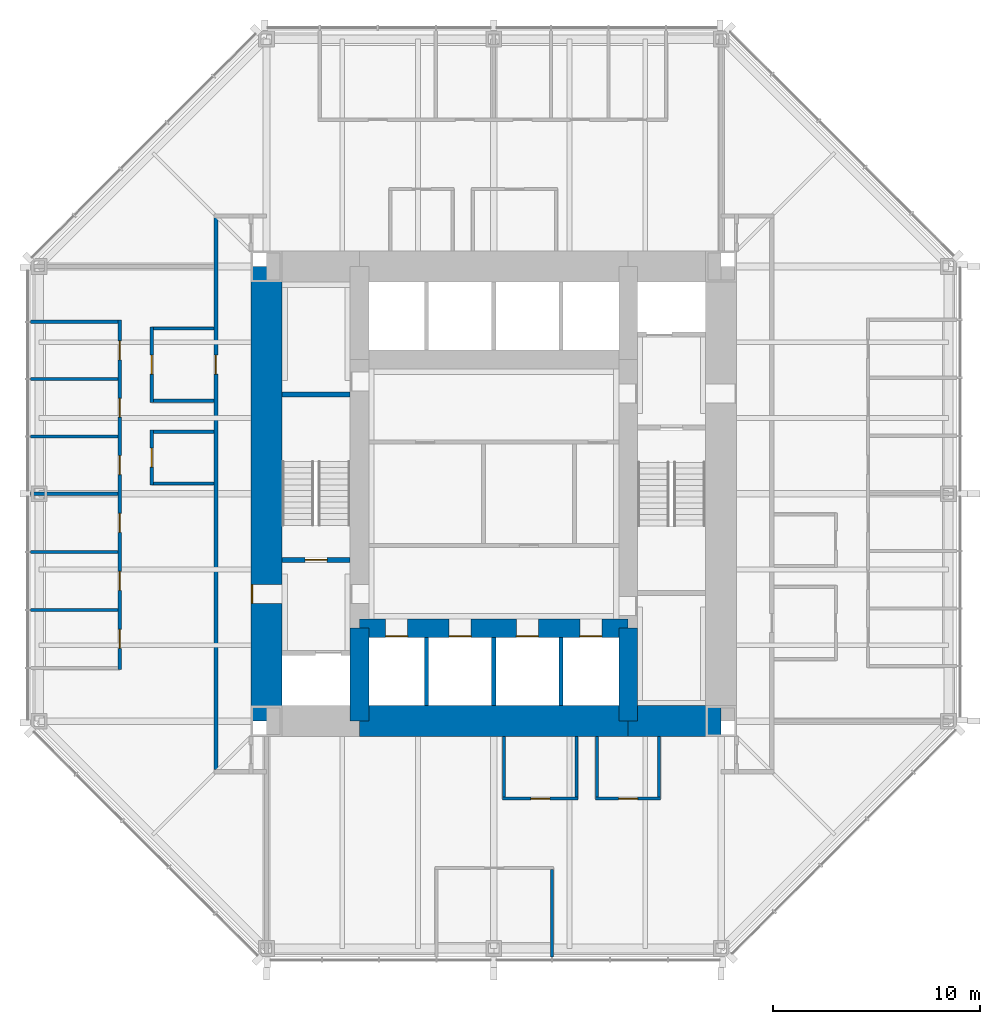
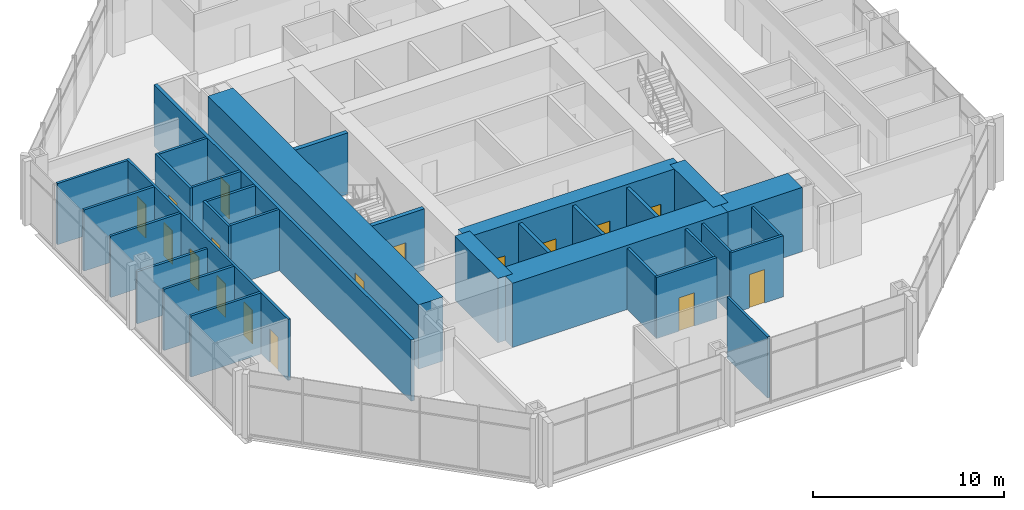
# One storey, part 9 of 14: 32 walls, 17 doors, 17 openings.
"""IFC4 building model written with IfcOpenShell, lengths in metres."""

from ifc_helpers import new_model, si_unit, direction, frame, frame_2d, origin, place, context, subcontext, project, spatial, rectangle, extrude, material, layer, layer_set, type_object, element, fill, save


model = new_model("IFC4")

# Units and contexts
model_context = context("Model", 3, precision=1e-05, world=origin(), true_north=direction((0.0, 1.0)))
body_context = subcontext(model_context, "Body", "Model", "MODEL_VIEW")
ifc_project = project(units=[si_unit("LENGTHUNIT", "METRE"), si_unit("AREAUNIT", "SQUARE_METRE"), si_unit("VOLUMEUNIT", "CUBIC_METRE"), si_unit("PLANEANGLEUNIT", "RADIAN"), si_unit("MASSUNIT", "GRAM", prefix="KILO")], contexts=[model_context])

# Site, building, storey
site_placement = place(None, origin())
site = spatial("IfcSite", under=ifc_project, at=site_placement, CompositionType="ELEMENT")
building_placement = place(site_placement, origin())
building = spatial("IfcBuilding", under=site, at=building_placement, Name="Trevanion Tower", CompositionType="ELEMENT")
storey_placement = place(building_placement, frame((0.0, 0.0, 109.0)))
storey = spatial("IfcBuildingStorey", under=building, at=storey_placement, Name="L25", CompositionType="ELEMENT", Elevation=109.0)

# Wall, opening, door
ifc_material_1 = material(Name="Concrete 10,000 psi", Category="concrete")
ifc_layer_1 = layer(ifc_material_1, 1.5)
ifc_layer_set_1 = layer_set([ifc_layer_1], Name="CW1 core wall 1500")
wall_type_1 = type_object("IfcWallType", Name="CW1 core wall 1500", PredefinedType="SHEAR", material=ifc_layer_set_1)
wall_1_placement = place(storey_placement, frame((-11.0, 11.0, 0.0), z_axis=(0.0, 0.0, 1.0), x_axis=(0.0, -1.0, 0.0)))
wall_1 = element("IfcWall", 1, at=wall_1_placement, inside=storey, type_object=wall_type_1, Name="CW1 CW L25", PredefinedType="SHEAR", context=body_context, shape_type="SweptSolid", body=[
    extrude(rectangle(XDim=22.0, YDim=1.5, at=frame_2d((11.0, 0.0))), origin(), (0.0, 0.0, 1.0), 4.10009765625),
])
opening_1_placement = place(wall_1_placement, frame((15.392578125, 0.0, 0.0)))
opening_1 = element("IfcOpeningElement", 2, at=opening_1_placement, cuts=wall_1, Name="Opening 25-002", PredefinedType="OPENING", context=body_context, shape_type="SweptSolid", body=[
    extrude(rectangle(XDim=0.9150390625, YDim=2.134033203125, at=frame_2d((0.45751953125, 1.06689453125))), frame((0.0, 0.760009765625, 0.0), z_axis=(0.0, -1.0, 0.0), x_axis=(1.0, 0.0, 0.0)), (0.0, 0.0, 1.0), 1.52001953125),
])
ifc_material_2 = material(Name="Hollow metal, fire rated", Category="steel")
door_type_1 = type_object("IfcDoorType", Name="D3 fire lift lobby door", OperationType="SINGLE_SWING_RIGHT", PredefinedType="DOOR", material=ifc_material_2)
door_1_placement = place(opening_1_placement, origin())
door_1 = element("IfcDoor", 3, at=door_1_placement, inside=storey, type_object=door_type_1, Name="Door 25-002", OperationType="SINGLE_SWING_RIGHT", OverallHeight=2.134033203125, OverallWidth=0.9150390625, PredefinedType="DOOR", context=body_context, shape_type="SweptSolid", body=[
    extrude(rectangle(XDim=0.9150390625, YDim=2.134033203125, at=frame_2d((0.45751953125, 1.06689453125))), frame((0.0, -0.6748046875, 0.0), z_axis=(0.0, -1.0, 0.0), x_axis=(1.0, 0.0, 0.0)), (0.0, 0.0, 1.0), 0.050048828125),
])
fill(opening_1, door_1)

# Walls
wall_2_placement = place(storey_placement, frame((-6.5, -11.0, 0.0), z_axis=(0.0, 0.0, 1.0), x_axis=(1.0, 0.0, 0.0)))
element("IfcWall", 4, at=wall_2_placement, inside=storey, type_object=wall_type_1, Name="CW1 CS2 L25", PredefinedType="SHEAR", context=body_context, shape_type="SweptSolid", body=[
    extrude(rectangle(XDim=13.0, YDim=1.5, at=frame_2d((6.5, 0.0))), origin(), (0.0, 0.0, 1.0), 4.10009765625),
])
wall_3_placement = place(storey_placement, frame((6.5, -11.0, 0.0), z_axis=(0.0, 0.0, 1.0), x_axis=(1.0, 0.0, 0.0)))
element("IfcWall", 5, at=wall_3_placement, inside=storey, type_object=wall_type_1, Name="CW1 CS3 L25", PredefinedType="SHEAR", context=body_context, shape_type="SweptSolid", body=[
    extrude(rectangle(XDim=4.5, YDim=1.5, at=frame_2d((2.25, 0.0))), origin(), (0.0, 0.0, 1.0), 4.10009765625),
])
ifc_material_3 = material(Name="Concrete 10,000 psi", Category="concrete")
ifc_layer_2 = layer(ifc_material_3, 0.89990234375)
ifc_layer_set_2 = layer_set([ifc_layer_2], Name="CW2 core wall 900")
wall_type_2 = type_object("IfcWallType", Name="CW2 core wall 900", PredefinedType="SHEAR", material=ifc_layer_set_2)
for number, where, z_axis, x_axis, name in (
    (6, (6.5, -11.0, 0.0), (0.0, 0.0, 1.0), (0.0, 1.0, 0.0), "CW2 RE1 L25"),
    (7, (-6.5, -6.5, 0.0), (0.0, 0.0, 1.0), (0.0, -1.0, 0.0), "CW2 RW3 L25"),
):
    element("IfcWall", number, at=place(storey_placement, frame(where, z_axis=z_axis, x_axis=x_axis)), inside=storey, type_object=wall_type_2, Name=name, PredefinedType="SHEAR", context=body_context, shape_type="SweptSolid", body=[
        extrude(rectangle(XDim=4.5, YDim=0.89990234375, at=frame_2d((2.25, 0.0))), origin(), (0.0, 0.0, 1.0), 4.10009765625),
    ])

# Wall, openings, doors
wall_4_placement = place(storey_placement, frame((-6.5, -6.5, 0.0), z_axis=(0.0, 0.0, 1.0), x_axis=(1.0, 0.0, 0.0)))
wall_4 = element("IfcWall", 8, at=wall_4_placement, inside=storey, type_object=wall_type_2, Name="CW2 RS L25", PredefinedType="SHEAR", context=body_context, shape_type="SweptSolid", body=[
    extrude(rectangle(XDim=13.0, YDim=0.89990234375, at=frame_2d((6.5, 0.0))), origin(), (0.0, 0.0, 1.0), 4.10009765625),
])
opening_2_placement = place(wall_4_placement, frame((1.2666015625, 0.0, 0.0)))
opening_2 = element("IfcOpeningElement", 9, at=opening_2_placement, cuts=wall_4, Name="Opening 25-011", PredefinedType="OPENING", context=body_context, shape_type="SweptSolid", body=[
    extrude(rectangle(XDim=1.06689453125, YDim=2.134033203125, at=frame_2d((0.533447265625, 1.06689453125))), frame((0.0, 0.4599609375, 0.0), z_axis=(0.0, -1.0, 0.0), x_axis=(1.0, 0.0, 0.0)), (0.0, 0.0, 1.0), 0.919921875),
])
opening_3_placement = place(wall_4_placement, frame((4.341552734375, 0.0, 0.0)))
opening_3 = element("IfcOpeningElement", 10, at=opening_3_placement, cuts=wall_4, Name="Opening 25-012", PredefinedType="OPENING", context=body_context, shape_type="SweptSolid", body=[
    extrude(rectangle(XDim=1.06689453125, YDim=2.134033203125, at=frame_2d((0.533447265625, 1.06689453125))), frame((0.0, 0.4599609375, 0.0), z_axis=(0.0, -1.0, 0.0), x_axis=(1.0, 0.0, 0.0)), (0.0, 0.0, 1.0), 0.919921875),
])
opening_4_placement = place(wall_4_placement, frame((7.591552734375, 0.0, 0.0)))
opening_4 = element("IfcOpeningElement", 11, at=opening_4_placement, cuts=wall_4, Name="Opening 25-013", PredefinedType="OPENING", context=body_context, shape_type="SweptSolid", body=[
    extrude(rectangle(XDim=1.06689453125, YDim=2.134033203125, at=frame_2d((0.533447265625, 1.06689453125))), frame((0.0, 0.4599609375, 0.0), z_axis=(0.0, -1.0, 0.0), x_axis=(1.0, 0.0, 0.0)), (0.0, 0.0, 1.0), 0.919921875),
])
opening_5_placement = place(wall_4_placement, frame((10.66650390625, 0.0, 0.0)))
opening_5 = element("IfcOpeningElement", 12, at=opening_5_placement, cuts=wall_4, Name="Opening 25-014", PredefinedType="OPENING", context=body_context, shape_type="SweptSolid", body=[
    extrude(rectangle(XDim=1.06689453125, YDim=2.134033203125, at=frame_2d((0.533447265625, 1.06689453125))), frame((0.0, 0.4599609375, 0.0), z_axis=(0.0, -1.0, 0.0), x_axis=(1.0, 0.0, 0.0)), (0.0, 0.0, 1.0), 0.919921875),
])
ifc_material_4 = material(Name="Stainless steel, fire rated", Category="steel")
door_type_2 = type_object("IfcDoorType", Name="LD1 lift landing door", OperationType="SLIDING_TO_LEFT", PredefinedType="DOOR", material=ifc_material_4)
door_2_placement = place(opening_2_placement, origin())
door_2 = element("IfcDoor", 13, at=door_2_placement, inside=storey, type_object=door_type_2, Name="Door 25-011", OperationType="SLIDING_TO_LEFT", OverallHeight=2.134033203125, OverallWidth=1.06689453125, PredefinedType="DOOR", context=body_context, shape_type="SweptSolid", body=[
    extrude(rectangle(XDim=1.06689453125, YDim=2.134033203125, at=frame_2d((0.533447265625, 1.06689453125))), frame((0.0, -0.375, 0.0), z_axis=(0.0, -1.0, 0.0), x_axis=(1.0, 0.0, 0.0)), (0.0, 0.0, 1.0), 0.050048828125),
])
fill(opening_2, door_2)
door_3_placement = place(opening_3_placement, origin())
door_3 = element("IfcDoor", 14, at=door_3_placement, inside=storey, type_object=door_type_2, Name="Door 25-012", OperationType="SLIDING_TO_LEFT", OverallHeight=2.134033203125, OverallWidth=1.06689453125, PredefinedType="DOOR", context=body_context, shape_type="SweptSolid", body=[
    extrude(rectangle(XDim=1.06689453125, YDim=2.134033203125, at=frame_2d((0.533447265625, 1.06689453125))), frame((0.0, -0.375, 0.0), z_axis=(0.0, -1.0, 0.0), x_axis=(1.0, 0.0, 0.0)), (0.0, 0.0, 1.0), 0.050048828125),
])
fill(opening_3, door_3)
door_4_placement = place(opening_4_placement, origin())
door_4 = element("IfcDoor", 15, at=door_4_placement, inside=storey, type_object=door_type_2, Name="Door 25-013", OperationType="SLIDING_TO_LEFT", OverallHeight=2.134033203125, OverallWidth=1.06689453125, PredefinedType="DOOR", context=body_context, shape_type="SweptSolid", body=[
    extrude(rectangle(XDim=1.06689453125, YDim=2.134033203125, at=frame_2d((0.533447265625, 1.06689453125))), frame((0.0, -0.375, 0.0), z_axis=(0.0, -1.0, 0.0), x_axis=(1.0, 0.0, 0.0)), (0.0, 0.0, 1.0), 0.050048828125),
])
fill(opening_4, door_4)
door_5_placement = place(opening_5_placement, origin())
door_5 = element("IfcDoor", 16, at=door_5_placement, inside=storey, type_object=door_type_2, Name="Door 25-014", OperationType="SLIDING_TO_LEFT", OverallHeight=2.134033203125, OverallWidth=1.06689453125, PredefinedType="DOOR", context=body_context, shape_type="SweptSolid", body=[
    extrude(rectangle(XDim=1.06689453125, YDim=2.134033203125, at=frame_2d((0.533447265625, 1.06689453125))), frame((0.0, -0.375, 0.0), z_axis=(0.0, -1.0, 0.0), x_axis=(1.0, 0.0, 0.0)), (0.0, 0.0, 1.0), 0.050048828125),
])
fill(opening_5, door_5)

ifc_material_5 = material(Name="Gypsum board on steel studs", Category="steel")
ifc_layer_3 = layer(ifc_material_5, 0.14990234375)
ifc_layer_set_3 = layer_set([ifc_layer_3], Name="PT1 partition 150")
wall_type_3 = type_object("IfcWallType", Name="PT1 partition 150", PredefinedType="PARTITIONING", material=ifc_layer_set_3)
wall_5_placement = place(storey_placement, frame((-18.10009765625, 8.39794921875, 0.0), z_axis=(0.0, 0.0, 1.0), x_axis=(0.0, -1.0, 0.0)))
wall_5 = element("IfcWall", 17, at=wall_5_placement, inside=storey, type_object=wall_type_3, Name="PT1 L25 FC2F", PredefinedType="PARTITIONING", context=body_context, shape_type="SweptSolid", body=[
    extrude(rectangle(XDim=16.89404296875, YDim=0.14990234375, at=frame_2d((8.447021484375, 0.0))), origin(), (0.0, 0.0, 1.0), 3.909912109375),
])
opening_6_placement = place(wall_5_placement, frame((1.00439453125, 0.0, 0.0)))
opening_6 = element("IfcOpeningElement", 18, at=opening_6_placement, cuts=wall_5, Name="Opening 25-033", PredefinedType="OPENING", context=body_context, shape_type="SweptSolid", body=[
    extrude(rectangle(XDim=0.9150390625, YDim=2.134033203125, at=frame_2d((0.45751953125, 1.06689453125))), frame((0.0, 0.0849609375, 0.0), z_axis=(0.0, -1.0, 0.0), x_axis=(1.0, 0.0, 0.0)), (0.0, 0.0, 1.0), 0.169921875),
])
opening_7_placement = place(wall_5_placement, frame((3.778564453125, 0.0, 0.0)))
opening_7 = element("IfcOpeningElement", 19, at=opening_7_placement, cuts=wall_5, Name="Opening 25-034", PredefinedType="OPENING", context=body_context, shape_type="SweptSolid", body=[
    extrude(rectangle(XDim=0.9150390625, YDim=2.134033203125, at=frame_2d((0.45751953125, 1.06689453125))), frame((0.0, 0.0849609375, 0.0), z_axis=(0.0, -1.0, 0.0), x_axis=(1.0, 0.0, 0.0)), (0.0, 0.0, 1.0), 0.169921875),
])
opening_8_placement = place(wall_5_placement, frame((6.552978515625, 0.0, 0.0)))
opening_8 = element("IfcOpeningElement", 20, at=opening_8_placement, cuts=wall_5, Name="Opening 25-035", PredefinedType="OPENING", context=body_context, shape_type="SweptSolid", body=[
    extrude(rectangle(XDim=0.9150390625, YDim=2.134033203125, at=frame_2d((0.45751953125, 1.06689453125))), frame((0.0, 0.0849609375, 0.0), z_axis=(0.0, -1.0, 0.0), x_axis=(1.0, 0.0, 0.0)), (0.0, 0.0, 1.0), 0.169921875),
])
opening_9_placement = place(wall_5_placement, frame((9.343994140625, 0.0, 0.0)))
opening_9 = element("IfcOpeningElement", 21, at=opening_9_placement, cuts=wall_5, Name="Opening 25-036", PredefinedType="OPENING", context=body_context, shape_type="SweptSolid", body=[
    extrude(rectangle(XDim=0.9150390625, YDim=2.134033203125, at=frame_2d((0.45751953125, 1.06689453125))), frame((0.0, 0.0849609375, 0.0), z_axis=(0.0, -1.0, 0.0), x_axis=(1.0, 0.0, 0.0)), (0.0, 0.0, 1.0), 0.169921875),
])
opening_10_placement = place(wall_5_placement, frame((12.15087890625, 0.0, 0.0)))
opening_10 = element("IfcOpeningElement", 22, at=opening_10_placement, cuts=wall_5, Name="Opening 25-037", PredefinedType="OPENING", context=body_context, shape_type="SweptSolid", body=[
    extrude(rectangle(XDim=0.9150390625, YDim=2.134033203125, at=frame_2d((0.45751953125, 1.06689453125))), frame((0.0, 0.0849609375, 0.0), z_axis=(0.0, -1.0, 0.0), x_axis=(1.0, 0.0, 0.0)), (0.0, 0.0, 1.0), 0.169921875),
])
opening_11_placement = place(wall_5_placement, frame((14.9580078125, 0.0, 0.0)))
opening_11 = element("IfcOpeningElement", 23, at=opening_11_placement, cuts=wall_5, Name="Opening 25-038", PredefinedType="OPENING", context=body_context, shape_type="SweptSolid", body=[
    extrude(rectangle(XDim=0.9150390625, YDim=2.134033203125, at=frame_2d((0.45751953125, 1.06689453125))), frame((0.0, 0.0849609375, 0.0), z_axis=(0.0, -1.0, 0.0), x_axis=(1.0, 0.0, 0.0)), (0.0, 0.0, 1.0), 0.169921875),
])
ifc_material_6 = material(Name="Timber veneer, solid core", Category="wood")
door_type_3 = type_object("IfcDoorType", Name="D1 office and meeting room door", OperationType="SINGLE_SWING_LEFT", PredefinedType="DOOR", material=ifc_material_6)
door_6_placement = place(opening_6_placement, origin())
door_6 = element("IfcDoor", 24, at=door_6_placement, inside=storey, type_object=door_type_3, Name="Door 25-033", OperationType="SINGLE_SWING_LEFT", OverallHeight=2.134033203125, OverallWidth=0.9150390625, PredefinedType="DOOR", context=body_context, shape_type="SweptSolid", body=[
    extrude(rectangle(XDim=0.9150390625, YDim=2.134033203125, at=frame_2d((0.45751953125, 1.06689453125))), frame((0.0, 0.02490234375, 0.0), z_axis=(0.0, -1.0, 0.0), x_axis=(1.0, 0.0, 0.0)), (0.0, 0.0, 1.0), 0.050048828125),
])
fill(opening_6, door_6)
door_7_placement = place(opening_7_placement, origin())
door_7 = element("IfcDoor", 25, at=door_7_placement, inside=storey, type_object=door_type_3, Name="Door 25-034", OperationType="SINGLE_SWING_LEFT", OverallHeight=2.134033203125, OverallWidth=0.9150390625, PredefinedType="DOOR", context=body_context, shape_type="SweptSolid", body=[
    extrude(rectangle(XDim=0.9150390625, YDim=2.134033203125, at=frame_2d((0.45751953125, 1.06689453125))), frame((0.0, 0.02490234375, 0.0), z_axis=(0.0, -1.0, 0.0), x_axis=(1.0, 0.0, 0.0)), (0.0, 0.0, 1.0), 0.050048828125),
])
fill(opening_7, door_7)
door_8_placement = place(opening_8_placement, origin())
door_8 = element("IfcDoor", 26, at=door_8_placement, inside=storey, type_object=door_type_3, Name="Door 25-035", OperationType="SINGLE_SWING_LEFT", OverallHeight=2.134033203125, OverallWidth=0.9150390625, PredefinedType="DOOR", context=body_context, shape_type="SweptSolid", body=[
    extrude(rectangle(XDim=0.9150390625, YDim=2.134033203125, at=frame_2d((0.45751953125, 1.06689453125))), frame((0.0, 0.02490234375, 0.0), z_axis=(0.0, -1.0, 0.0), x_axis=(1.0, 0.0, 0.0)), (0.0, 0.0, 1.0), 0.050048828125),
])
fill(opening_8, door_8)
door_9_placement = place(opening_9_placement, origin())
door_9 = element("IfcDoor", 27, at=door_9_placement, inside=storey, type_object=door_type_3, Name="Door 25-036", OperationType="SINGLE_SWING_LEFT", OverallHeight=2.134033203125, OverallWidth=0.9150390625, PredefinedType="DOOR", context=body_context, shape_type="SweptSolid", body=[
    extrude(rectangle(XDim=0.9150390625, YDim=2.134033203125, at=frame_2d((0.45751953125, 1.06689453125))), frame((0.0, 0.02490234375, 0.0), z_axis=(0.0, -1.0, 0.0), x_axis=(1.0, 0.0, 0.0)), (0.0, 0.0, 1.0), 0.050048828125),
])
fill(opening_9, door_9)
door_10_placement = place(opening_10_placement, origin())
door_10 = element("IfcDoor", 28, at=door_10_placement, inside=storey, type_object=door_type_3, Name="Door 25-037", OperationType="SINGLE_SWING_LEFT", OverallHeight=2.134033203125, OverallWidth=0.9150390625, PredefinedType="DOOR", context=body_context, shape_type="SweptSolid", body=[
    extrude(rectangle(XDim=0.9150390625, YDim=2.134033203125, at=frame_2d((0.45751953125, 1.06689453125))), frame((0.0, 0.02490234375, 0.0), z_axis=(0.0, -1.0, 0.0), x_axis=(1.0, 0.0, 0.0)), (0.0, 0.0, 1.0), 0.050048828125),
])
fill(opening_10, door_10)
door_11_placement = place(opening_11_placement, origin())
door_11 = element("IfcDoor", 29, at=door_11_placement, inside=storey, type_object=door_type_3, Name="Door 25-038", OperationType="SINGLE_SWING_LEFT", OverallHeight=2.134033203125, OverallWidth=0.9150390625, PredefinedType="DOOR", context=body_context, shape_type="SweptSolid", body=[
    extrude(rectangle(XDim=0.9150390625, YDim=2.134033203125, at=frame_2d((0.45751953125, 1.06689453125))), frame((0.0, 0.02490234375, 0.0), z_axis=(0.0, -1.0, 0.0), x_axis=(1.0, 0.0, 0.0)), (0.0, 0.0, 1.0), 0.050048828125),
])
fill(opening_11, door_11)

# Walls
for number, where, z_axis, x_axis, name in (
    (30, (-18.175048828125, 8.322998046875, 0.0), (0.0, 0.0, 1.0), (-1.0, 0.0, 0.0), "PT1 L25 FC2S0"),
    (31, (-18.175048828125, 5.549072265625, 0.0), (0.0, 0.0, 1.0), (-1.0, 0.0, 0.0), "PT1 L25 FC2S1"),
    (32, (-18.175048828125, 2.77490234375, 0.0), (0.0, 0.0, 1.0), (-1.0, 0.0, 0.0), "PT1 L25 FC2S2"),
):
    element("IfcWall", number, at=place(storey_placement, frame(where, z_axis=z_axis, x_axis=x_axis)), inside=storey, type_object=wall_type_3, Name=name, PredefinedType="PARTITIONING", context=body_context, shape_type="SweptSolid", body=[
        extrude(rectangle(XDim=4.239990234375, YDim=0.14990234375, at=frame_2d((2.1201171875, 0.0))), origin(), (0.0, 0.0, 1.0), 3.909912109375),
    ])
wall_6_placement = place(storey_placement, frame((-18.175048828125, 0.0, 0.0), z_axis=(0.0, 0.0, 1.0), x_axis=(-1.0, 0.0, 0.0)))
element("IfcWall", 33, at=wall_6_placement, inside=storey, type_object=wall_type_3, Name="PT1 L25 FC2S3", PredefinedType="PARTITIONING", context=body_context, shape_type="SweptSolid", body=[
    extrude(rectangle(XDim=4.239990234375, YDim=0.14990234375, at=frame_2d((2.1201171875, 0.0))), origin(), (0.0, 0.0, 1.0), 3.32568359375),
])
for number, where, z_axis, x_axis, name in (
    (34, (-18.175048828125, -2.806884765625, 0.0), (0.0, 0.0, 1.0), (-1.0, 0.0, 0.0), "PT1 L25 FC2S4"),
    (35, (-18.175048828125, -5.614013671875, 0.0), (0.0, 0.0, 1.0), (-1.0, 0.0, 0.0), "PT1 L25 FC2S5"),
    (36, (2.806884765625, -18.175048828125, 0.0), (0.0, 0.0, 1.0), (0.0, -1.0, 0.0), "PT1 L25 FC3S2"),
):
    element("IfcWall", number, at=place(storey_placement, frame(where, z_axis=z_axis, x_axis=x_axis)), inside=storey, type_object=wall_type_3, Name=name, PredefinedType="PARTITIONING", context=body_context, shape_type="SweptSolid", body=[
        extrude(rectangle(XDim=4.239990234375, YDim=0.14990234375, at=frame_2d((2.1201171875, 0.0))), origin(), (0.0, 0.0, 1.0), 3.909912109375),
    ])

# Wall, opening, door
wall_7_placement = place(storey_placement, frame((-16.550048828125, 8.074951171875, 0.0), z_axis=(0.0, 0.0, 1.0), x_axis=(0.0, -1.0, 0.0)))
wall_7 = element("IfcWall", 37, at=wall_7_placement, inside=storey, type_object=wall_type_3, Name="PT1 L25 IN20F", PredefinedType="PARTITIONING", context=body_context, shape_type="SweptSolid", body=[
    extrude(rectangle(XDim=3.64990234375, YDim=0.14990234375, at=frame_2d((1.824951171875, 0.0))), origin(), (0.0, 0.0, 1.0), 3.909912109375),
])
opening_12_placement = place(wall_7_placement, frame((1.367431640625, 0.0, 0.0)))
opening_12 = element("IfcOpeningElement", 38, at=opening_12_placement, cuts=wall_7, Name="Opening 25-045", PredefinedType="OPENING", context=body_context, shape_type="SweptSolid", body=[
    extrude(rectangle(XDim=0.9150390625, YDim=2.134033203125, at=frame_2d((0.45751953125, 1.06689453125))), frame((0.0, 0.0849609375, 0.0), z_axis=(0.0, -1.0, 0.0), x_axis=(1.0, 0.0, 0.0)), (0.0, 0.0, 1.0), 0.169921875),
])
door_12_placement = place(opening_12_placement, origin())
door_12 = element("IfcDoor", 39, at=door_12_placement, inside=storey, type_object=door_type_3, Name="Door 25-045", OperationType="SINGLE_SWING_LEFT", OverallHeight=2.134033203125, OverallWidth=0.9150390625, PredefinedType="DOOR", context=body_context, shape_type="SweptSolid", body=[
    extrude(rectangle(XDim=0.9150390625, YDim=2.134033203125, at=frame_2d((0.45751953125, 1.06689453125))), frame((0.0, 0.02490234375, 0.0), z_axis=(0.0, -1.0, 0.0), x_axis=(1.0, 0.0, 0.0)), (0.0, 0.0, 1.0), 0.050048828125),
])
fill(opening_12, door_12)

# Walls
for number, where, z_axis, x_axis, name in (
    (40, (-16.47509765625, 8.0, 0.0), (0.0, 0.0, 1.0), (1.0, 0.0, 0.0), "PT1 L25 IN20S0"),
    (41, (-16.47509765625, 4.5, 0.0), (0.0, 0.0, 1.0), (1.0, 0.0, 0.0), "PT1 L25 IN20S1"),
):
    element("IfcWall", number, at=place(storey_placement, frame(where, z_axis=z_axis, x_axis=x_axis)), inside=storey, type_object=wall_type_3, Name=name, PredefinedType="PARTITIONING", context=body_context, shape_type="SweptSolid", body=[
        extrude(rectangle(XDim=2.925048828125, YDim=0.14990234375, at=frame_2d((1.46240234375, 0.0))), origin(), (0.0, 0.0, 1.0), 3.909912109375),
    ])

# Wall, opening, door
wall_8_placement = place(storey_placement, frame((-16.550048828125, 3.074951171875, 0.0), z_axis=(0.0, 0.0, 1.0), x_axis=(0.0, -1.0, 0.0)))
wall_8 = element("IfcWall", 42, at=wall_8_placement, inside=storey, type_object=wall_type_3, Name="PT1 L25 IN21F", PredefinedType="PARTITIONING", context=body_context, shape_type="SweptSolid", body=[
    extrude(rectangle(XDim=2.64990234375, YDim=0.14990234375, at=frame_2d((1.324951171875, 0.0))), origin(), (0.0, 0.0, 1.0), 3.909912109375),
])
opening_13_placement = place(wall_8_placement, frame((0.867431640625, 0.0, 0.0)))
opening_13 = element("IfcOpeningElement", 43, at=opening_13_placement, cuts=wall_8, Name="Opening 25-047", PredefinedType="OPENING", context=body_context, shape_type="SweptSolid", body=[
    extrude(rectangle(XDim=0.9150390625, YDim=2.134033203125, at=frame_2d((0.45751953125, 1.06689453125))), frame((0.0, 0.0849609375, 0.0), z_axis=(0.0, -1.0, 0.0), x_axis=(1.0, 0.0, 0.0)), (0.0, 0.0, 1.0), 0.169921875),
])
door_13_placement = place(opening_13_placement, origin())
door_13 = element("IfcDoor", 44, at=door_13_placement, inside=storey, type_object=door_type_3, Name="Door 25-047", OperationType="SINGLE_SWING_LEFT", OverallHeight=2.134033203125, OverallWidth=0.9150390625, PredefinedType="DOOR", context=body_context, shape_type="SweptSolid", body=[
    extrude(rectangle(XDim=0.9150390625, YDim=2.134033203125, at=frame_2d((0.45751953125, 1.06689453125))), frame((0.0, 0.02490234375, 0.0), z_axis=(0.0, -1.0, 0.0), x_axis=(1.0, 0.0, 0.0)), (0.0, 0.0, 1.0), 0.050048828125),
])
fill(opening_13, door_13)

# Walls
for number, where, z_axis, x_axis, name in (
    (45, (-16.47509765625, 3.0, 0.0), (0.0, 0.0, 1.0), (1.0, 0.0, 0.0), "PT1 L25 IN21S0"),
    (46, (-16.47509765625, 0.5, 0.0), (0.0, 0.0, 1.0), (1.0, 0.0, 0.0), "PT1 L25 IN21S1"),
):
    element("IfcWall", number, at=place(storey_placement, frame(where, z_axis=z_axis, x_axis=x_axis)), inside=storey, type_object=wall_type_3, Name=name, PredefinedType="PARTITIONING", context=body_context, shape_type="SweptSolid", body=[
        extrude(rectangle(XDim=2.925048828125, YDim=0.14990234375, at=frame_2d((1.46240234375, 0.0))), origin(), (0.0, 0.0, 1.0), 3.909912109375),
    ])

# Wall, opening, door
wall_9_placement = place(storey_placement, frame((0.425048828125, -14.75, 0.0), z_axis=(0.0, 0.0, 1.0), x_axis=(1.0, 0.0, 0.0)))
wall_9 = element("IfcWall", 47, at=wall_9_placement, inside=storey, type_object=wall_type_3, Name="PT1 L25 IN30F", PredefinedType="PARTITIONING", context=body_context, shape_type="SweptSolid", body=[
    extrude(rectangle(XDim=3.64990234375, YDim=0.14990234375, at=frame_2d((1.824951171875, 0.0))), origin(), (0.0, 0.0, 1.0), 3.909912109375),
])
opening_14_placement = place(wall_9_placement, frame((1.367431640625, 0.0, 0.0)))
opening_14 = element("IfcOpeningElement", 48, at=opening_14_placement, cuts=wall_9, Name="Opening 25-048", PredefinedType="OPENING", context=body_context, shape_type="SweptSolid", body=[
    extrude(rectangle(XDim=0.9150390625, YDim=2.134033203125, at=frame_2d((0.45751953125, 1.06689453125))), frame((0.0, 0.0849609375, 0.0), z_axis=(0.0, -1.0, 0.0), x_axis=(1.0, 0.0, 0.0)), (0.0, 0.0, 1.0), 0.169921875),
])
door_14_placement = place(opening_14_placement, origin())
door_14 = element("IfcDoor", 49, at=door_14_placement, inside=storey, type_object=door_type_3, Name="Door 25-048", OperationType="SINGLE_SWING_LEFT", OverallHeight=2.134033203125, OverallWidth=0.9150390625, PredefinedType="DOOR", context=body_context, shape_type="SweptSolid", body=[
    extrude(rectangle(XDim=0.9150390625, YDim=2.134033203125, at=frame_2d((0.45751953125, 1.06689453125))), frame((0.0, 0.02490234375, 0.0), z_axis=(0.0, -1.0, 0.0), x_axis=(1.0, 0.0, 0.0)), (0.0, 0.0, 1.0), 0.050048828125),
])
fill(opening_14, door_14)

# Walls
for number, where, z_axis, x_axis, name in (
    (50, (0.5, -14.675048828125, 0.0), (0.0, 0.0, 1.0), (0.0, 1.0, 0.0), "PT1 L25 IN30S0"),
    (51, (4.0, -14.675048828125, 0.0), (0.0, 0.0, 1.0), (0.0, 1.0, 0.0), "PT1 L25 IN30S1"),
):
    element("IfcWall", number, at=place(storey_placement, frame(where, z_axis=z_axis, x_axis=x_axis)), inside=storey, type_object=wall_type_3, Name=name, PredefinedType="PARTITIONING", context=body_context, shape_type="SweptSolid", body=[
        extrude(rectangle(XDim=2.925048828125, YDim=0.14990234375, at=frame_2d((1.46240234375, 0.0))), origin(), (0.0, 0.0, 1.0), 3.909912109375),
    ])

# Wall, opening, door
wall_10_placement = place(storey_placement, frame((4.925048828125, -14.75, 0.0), z_axis=(0.0, 0.0, 1.0), x_axis=(1.0, 0.0, 0.0)))
wall_10 = element("IfcWall", 52, at=wall_10_placement, inside=storey, type_object=wall_type_3, Name="PT1 L25 IN31F", PredefinedType="PARTITIONING", context=body_context, shape_type="SweptSolid", body=[
    extrude(rectangle(XDim=3.14990234375, YDim=0.14990234375, at=frame_2d((1.574951171875, 0.0))), origin(), (0.0, 0.0, 1.0), 3.909912109375),
])
opening_15_placement = place(wall_10_placement, frame((1.117431640625, 0.0, 0.0)))
opening_15 = element("IfcOpeningElement", 53, at=opening_15_placement, cuts=wall_10, Name="Opening 25-049", PredefinedType="OPENING", context=body_context, shape_type="SweptSolid", body=[
    extrude(rectangle(XDim=0.9150390625, YDim=2.134033203125, at=frame_2d((0.45751953125, 1.06689453125))), frame((0.0, 0.0849609375, 0.0), z_axis=(0.0, -1.0, 0.0), x_axis=(1.0, 0.0, 0.0)), (0.0, 0.0, 1.0), 0.169921875),
])
door_15_placement = place(opening_15_placement, origin())
door_15 = element("IfcDoor", 54, at=door_15_placement, inside=storey, type_object=door_type_3, Name="Door 25-049", OperationType="SINGLE_SWING_LEFT", OverallHeight=2.134033203125, OverallWidth=0.9150390625, PredefinedType="DOOR", context=body_context, shape_type="SweptSolid", body=[
    extrude(rectangle(XDim=0.9150390625, YDim=2.134033203125, at=frame_2d((0.45751953125, 1.06689453125))), frame((0.0, 0.02490234375, 0.0), z_axis=(0.0, -1.0, 0.0), x_axis=(1.0, 0.0, 0.0)), (0.0, 0.0, 1.0), 0.050048828125),
])
fill(opening_15, door_15)

# Walls
for number, where, z_axis, x_axis, name in (
    (55, (5.0, -14.675048828125, 0.0), (0.0, 0.0, 1.0), (0.0, 1.0, 0.0), "PT1 L25 IN31S0"),
    (56, (8.0, -14.675048828125, 0.0), (0.0, 0.0, 1.0), (0.0, 1.0, 0.0), "PT1 L25 IN31S1"),
):
    element("IfcWall", number, at=place(storey_placement, frame(where, z_axis=z_axis, x_axis=x_axis)), inside=storey, type_object=wall_type_3, Name=name, PredefinedType="PARTITIONING", context=body_context, shape_type="SweptSolid", body=[
        extrude(rectangle(XDim=2.925048828125, YDim=0.14990234375, at=frame_2d((1.46240234375, 0.0))), origin(), (0.0, 0.0, 1.0), 3.909912109375),
    ])

# Wall, opening, door
ifc_material_7 = material(Name="Concrete masonry, grouted", Category="masonry")
ifc_layer_4 = layer(ifc_material_7, 0.199951171875)
ifc_layer_set_4 = layer_set([ifc_layer_4], Name="PT2 partition 200 1 HR")
wall_type_4 = type_object("IfcWallType", Name="PT2 partition 200 1 HR", PredefinedType="PARTITIONING", material=ifc_layer_set_4)
wall_11_placement = place(storey_placement, frame((-13.449951171875, 13.550048828125, 0.0), z_axis=(0.0, 0.0, 1.0), x_axis=(0.0, -1.0, 0.0)))
wall_11 = element("IfcWall", 57, at=wall_11_placement, inside=storey, type_object=wall_type_4, Name="PT2 L25 OC2", PredefinedType="PARTITIONING", context=body_context, shape_type="SweptSolid", body=[
    extrude(rectangle(XDim=26.900146484375, YDim=0.199951171875, at=frame_2d((13.4501953125, 0.0))), origin(), (0.0, 0.0, 1.0), 3.909912109375),
])
opening_16_placement = place(wall_11_placement, frame((6.842529296875, 0.0, 0.0)))
opening_16 = element("IfcOpeningElement", 58, at=opening_16_placement, cuts=wall_11, Name="Opening 25-046", PredefinedType="OPENING", context=body_context, shape_type="SweptSolid", body=[
    extrude(rectangle(XDim=0.9150390625, YDim=2.134033203125, at=frame_2d((0.45751953125, 1.06689453125))), frame((0.0, 0.10986328125, 0.0), z_axis=(0.0, -1.0, 0.0), x_axis=(1.0, 0.0, 0.0)), (0.0, 0.0, 1.0), 0.219970703125),
])
ifc_material_8 = material(Name="Timber veneer, fire rated", Category="wood")
door_type_4 = type_object("IfcDoorType", Name="D10 office door in a one hour wall", OperationType="SINGLE_SWING_LEFT", PredefinedType="DOOR", material=ifc_material_8)
door_16_placement = place(opening_16_placement, origin())
door_16 = element("IfcDoor", 59, at=door_16_placement, inside=storey, type_object=door_type_4, Name="Door 25-046", OperationType="SINGLE_SWING_LEFT", OverallHeight=2.134033203125, OverallWidth=0.9150390625, PredefinedType="DOOR", context=body_context, shape_type="SweptSolid", body=[
    extrude(rectangle(XDim=0.9150390625, YDim=2.134033203125, at=frame_2d((0.45751953125, 1.06689453125))), frame((0.0, 0.02490234375, 0.0), z_axis=(0.0, -1.0, 0.0), x_axis=(1.0, 0.0, 0.0)), (0.0, 0.0, 1.0), 0.050048828125),
])
fill(opening_16, door_16)

# Walls
ifc_material_9 = material(Name="Concrete masonry, grouted", Category="masonry")
ifc_layer_5 = layer(ifc_material_9, 0.199951171875)
ifc_layer_set_5 = layer_set([ifc_layer_5], Name="PT2 partition 200 2 HR")
wall_type_5 = type_object("IfcWallType", Name="PT2 partition 200 2 HR", PredefinedType="PARTITIONING", material=ifc_layer_set_5)
for number, where, z_axis, x_axis, name in (
    (60, (-3.25, -10.25, 0.0), (0.0, 0.0, 1.0), (0.0, 1.0, 0.0), "PT2 L25 SS0"),
    (61, (0.0, -10.25, 0.0), (0.0, 0.0, 1.0), (0.0, 1.0, 0.0), "PT2 L25 SS1"),
    (62, (3.25, -10.25, 0.0), (0.0, 0.0, 1.0), (0.0, 1.0, 0.0), "PT2 L25 SS2"),
):
    element("IfcWall", number, at=place(storey_placement, frame(where, z_axis=z_axis, x_axis=x_axis)), inside=storey, type_object=wall_type_5, Name=name, PredefinedType="PARTITIONING", context=body_context, shape_type="SweptSolid", body=[
        extrude(rectangle(XDim=3.300048828125, YDim=0.199951171875, at=frame_2d((1.64990234375, 0.0))), origin(), (0.0, 0.0, 1.0), 3.909912109375),
    ])
ifc_material_10 = material(Name="Reinforced masonry, fully grouted", Category="masonry")
ifc_layer_6 = layer(ifc_material_10, 0.25)
ifc_layer_set_6 = layer_set([ifc_layer_6], Name="SW1 stair shaft wall 250")
wall_type_6 = type_object("IfcWallType", Name="SW1 stair shaft wall 250", PredefinedType="SOLIDWALL", material=ifc_layer_set_6)
wall_12_placement = place(storey_placement, frame((-6.949951171875, 4.800048828125, 0.0), z_axis=(0.0, 0.0, 1.0), x_axis=(-1.0, 0.0, 0.0)))
element("IfcWall", 63, at=wall_12_placement, inside=storey, type_object=wall_type_6, Name="SW1 L25 WP1", PredefinedType="SOLIDWALL", context=body_context, shape_type="SweptSolid", body=[
    extrude(rectangle(XDim=3.300048828125, YDim=0.25, at=frame_2d((1.64990234375, 0.0))), origin(), (0.0, 0.0, 1.0), 3.909912109375),
])

# Wall, opening, door
wall_13_placement = place(storey_placement, frame((-6.949951171875, -3.199951171875, 0.0), z_axis=(0.0, 0.0, 1.0), x_axis=(-1.0, 0.0, 0.0)))
wall_13 = element("IfcWall", 64, at=wall_13_placement, inside=storey, type_object=wall_type_6, Name="SW1 L25 WP2", PredefinedType="SOLIDWALL", context=body_context, shape_type="SweptSolid", body=[
    extrude(rectangle(XDim=3.300048828125, YDim=0.25, at=frame_2d((1.64990234375, 0.0))), origin(), (0.0, 0.0, 1.0), 3.909912109375),
])
opening_17_placement = place(wall_13_placement, frame((1.116455078125, 0.0, 0.0)))
opening_17 = element("IfcOpeningElement", 65, at=opening_17_placement, cuts=wall_13, Name="Opening 25-006", PredefinedType="OPENING", context=body_context, shape_type="SweptSolid", body=[
    extrude(rectangle(XDim=1.06689453125, YDim=2.134033203125, at=frame_2d((0.533447265625, 1.06689453125))), frame((0.0, 0.135009765625, 0.0), z_axis=(0.0, -1.0, 0.0), x_axis=(1.0, 0.0, 0.0)), (0.0, 0.0, 1.0), 0.27001953125),
])
ifc_material_11 = material(Name="Hollow metal, fire rated", Category="steel")
door_type_5 = type_object("IfcDoorType", Name="D2 exit stair door", OperationType="SINGLE_SWING_LEFT", PredefinedType="DOOR", material=ifc_material_11)
door_17_placement = place(opening_17_placement, origin())
door_17 = element("IfcDoor", 66, at=door_17_placement, inside=storey, type_object=door_type_5, Name="Door 25-006", OperationType="SINGLE_SWING_LEFT", OverallHeight=2.134033203125, OverallWidth=1.06689453125, PredefinedType="DOOR", context=body_context, shape_type="SweptSolid", body=[
    extrude(rectangle(XDim=1.06689453125, YDim=2.134033203125, at=frame_2d((0.533447265625, 1.06689453125))), frame((0.0, 0.02490234375, 0.0), z_axis=(0.0, -1.0, 0.0), x_axis=(1.0, 0.0, 0.0)), (0.0, 0.0, 1.0), 0.050048828125),
])
fill(opening_17, door_17)

save(model, "model.ifc")
